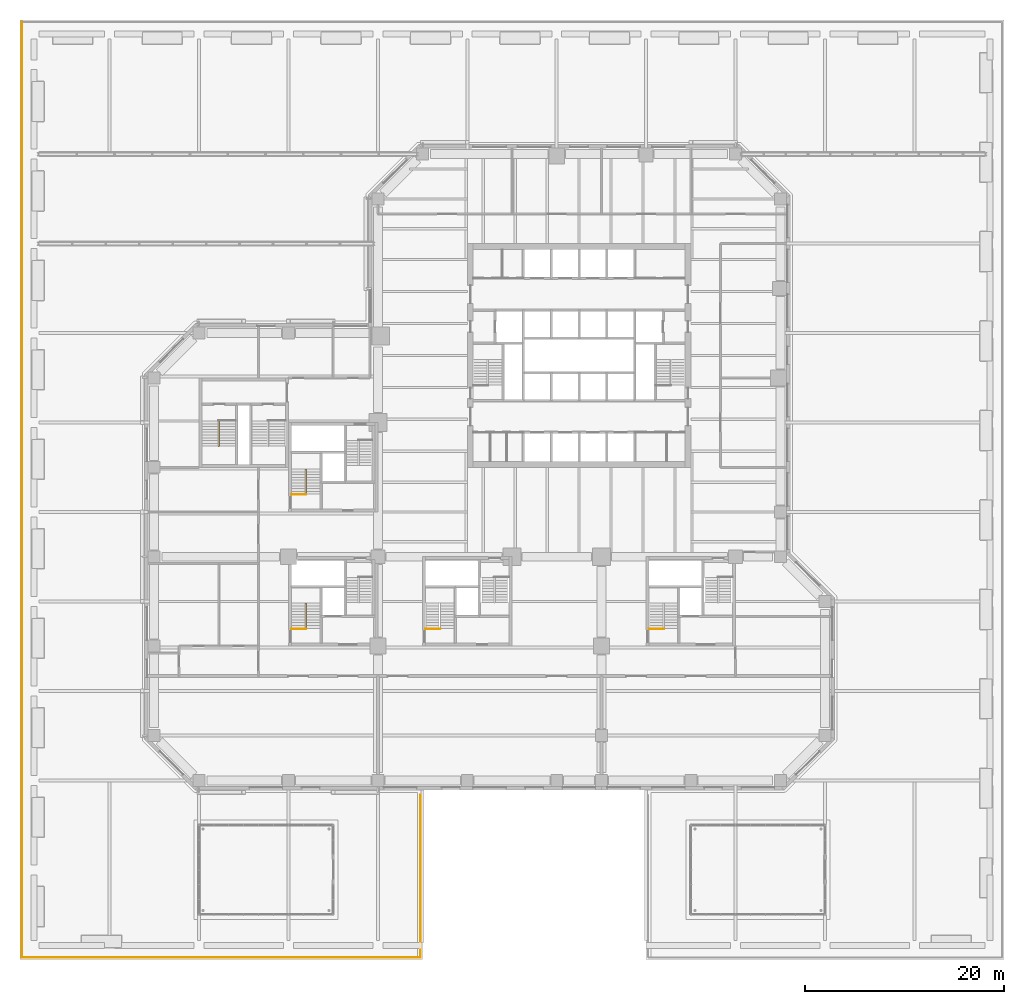
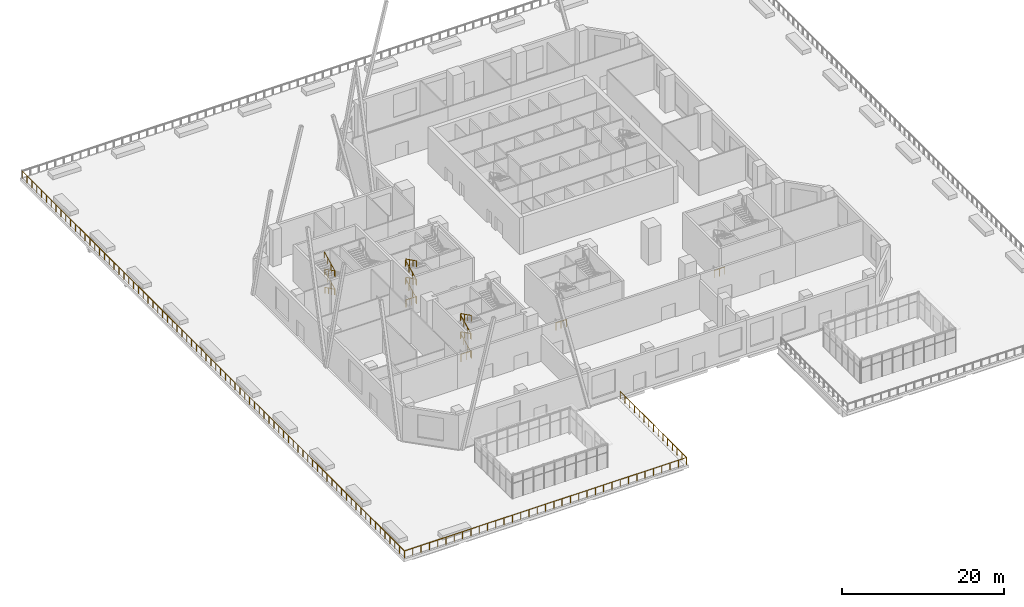
# One storey, part 30 of 33: 8 railings.
"""IFC4 building model written with IfcOpenShell, lengths in metres."""

import ifcopenshell
import ifcopenshell.guid

model = None  # the IFC model being written
_history = None  # IfcOwnerHistory: only IFC2X3 demands one
_inside = {}  # id of a spatial element -> (the spatial element, [elements in it])
_under = {}  # id of a project, library or spatial element -> (it, [spatial elements below it])
_declared = {}  # id of a project -> (the project, [libraries it declares])
_typed = {}  # id of a type object -> (the type object, [elements of that type])
_made_of = {}  # id of a material, layer set ... -> (it, [elements and type objects made of it])


def new_model(schema):
    """Start an empty IFC model of exactly this schema.

    Asked for "IFC4X3", IfcOpenShell would pick the latest addendum, in which some entities
    have other attributes; the version numbers below select the first issue.
    IFC2X3 requires an IfcOwnerHistory on every rooted entity: one is made here for all.
    """
    global model, _history
    if schema == "IFC4X3":
        model = ifcopenshell.file(schema_version=(4, 3, 0, 0))
    else:
        model = ifcopenshell.file(schema=schema)
    _inside.clear()
    _under.clear()
    _declared.clear()
    _typed.clear()
    _made_of.clear()
    _history = None
    if model.schema == "IFC2X3":
        org = make("IfcOrganization", Name="unknown")
        user = make(
            "IfcPersonAndOrganization",
            ThePerson=make("IfcPerson", FamilyName="unknown"),
            TheOrganization=org,
        )
        app = make(
            "IfcApplication",
            ApplicationDeveloper=org,
            Version="unknown",
            ApplicationFullName="unknown",
            ApplicationIdentifier="unknown",
        )
        _history = make(
            "IfcOwnerHistory",
            OwningUser=user,
            OwningApplication=app,
            ChangeAction="ADDED",
            CreationDate=0,
        )
    return model


def make(cls, **values):
    """One entity of the class cls with the attributes given. An attribute that is None is left unset."""
    return model.create_entity(
        cls, **{name: value for name, value in values.items() if value is not None}
    )


def rooted(cls, **values):
    """An entity with a GlobalId (a new one), such as an element, a storey or a relation."""
    return make(cls, GlobalId=ifcopenshell.guid.new(), OwnerHistory=_history, **values)


def si_unit(unit_type, name, prefix=None):
    """IfcSIUnit, for example si_unit("LENGTHUNIT", "METRE", prefix="MILLI")."""
    return make("IfcSIUnit", UnitType=unit_type, Prefix=prefix, Name=name)


def assignment(units):
    """IfcUnitAssignment: the units of a project."""
    return None if units is None else make("IfcUnitAssignment", Units=units)


def point(xyz):
    """IfcCartesianPoint."""
    return None if xyz is None else make("IfcCartesianPoint", Coordinates=xyz)


def direction(xyz):
    """IfcDirection."""
    return None if xyz is None else make("IfcDirection", DirectionRatios=xyz)


def frame(location, z_axis=None, x_axis=None):
    """IfcAxis2Placement3D, a coordinate frame: its origin and axes. An axis left out is left unset."""
    return make(
        "IfcAxis2Placement3D",
        Location=point(location),
        Axis=direction(z_axis),
        RefDirection=direction(x_axis),
    )


def frame_2d(location, x_axis=None):
    """IfcAxis2Placement2D, a coordinate frame in the plane: its origin and x axis."""
    return make(
        "IfcAxis2Placement2D", Location=point(location), RefDirection=direction(x_axis)
    )


def origin():
    """The frame at (0, 0, 0) with its axes left unset."""
    return frame((0.0, 0.0, 0.0))


def origin_2d():
    """The frame at (0, 0) in the plane with its x axis left unset."""
    return frame_2d((0.0, 0.0))


def place(relative_to, where):
    """IfcLocalPlacement: puts the frame where relative to a parent placement (None: the world)."""
    return make(
        "IfcLocalPlacement", PlacementRelTo=relative_to, RelativePlacement=where
    )


def context(
    kind, dimensions, precision=None, world=None, true_north=None, identifier=None
):
    """IfcGeometricRepresentationContext, for example the 3D "Model" context."""
    return make(
        "IfcGeometricRepresentationContext",
        ContextIdentifier=identifier,
        ContextType=kind,
        CoordinateSpaceDimension=dimensions,
        Precision=precision,
        WorldCoordinateSystem=world,
        TrueNorth=true_north,
    )


def subcontext(parent, identifier, kind, view, scale=None):
    """IfcGeometricRepresentationSubContext, for example "Body" below "Model"."""
    return make(
        "IfcGeometricRepresentationSubContext",
        ContextIdentifier=identifier,
        ContextType=kind,
        ParentContext=parent,
        TargetScale=scale,
        TargetView=view,
    )


def project(units=None, contexts=None):
    """IfcProject with its units and contexts."""
    return rooted(
        "IfcProject",
        Name="project",
        RepresentationContexts=contexts,
        UnitsInContext=assignment(units),
    )


def spatial(cls, under=None, at=None, **own):
    """A site, building, storey or space (cls), placed at a placement, below another one or the project."""
    s = rooted(cls, ObjectPlacement=at, **own)
    if under is not None:
        _under.setdefault(under.id(), (under, []))[1].append(s)
    return s


def profile(cls, at=None, kind="AREA", **sizes):
    """A parametric profile (cls). Its sizes go by their IFC names, for example OverallWidth=200.0."""
    return make(cls, ProfileType=kind, Position=at, **sizes)


def circle(**sizes):
    """IfcCircleProfileDef."""
    return profile("IfcCircleProfileDef", **sizes)


def extrude(swept, where, along, depth):
    """IfcExtrudedAreaSolid: the profile swept, set in the frame where, extruded along a direction by depth."""
    return make(
        "IfcExtrudedAreaSolid",
        SweptArea=swept,
        Position=where,
        ExtrudedDirection=direction(along),
        Depth=depth,
    )


def shape(context_of_items, identifier, shape_type, items):
    """IfcShapeRepresentation: the items that make up one representation, for example the "Body"."""
    return make(
        "IfcShapeRepresentation",
        ContextOfItems=context_of_items,
        RepresentationIdentifier=identifier,
        RepresentationType=shape_type,
        Items=items,
    )


def material(Name=None, Category=None):
    """IfcMaterial."""
    return make("IfcMaterial", Name=Name, Category=Category)


def made_of(thing, what):
    """Note that an element or type object is made of a material, layer set ...; save() writes the relation."""
    if what is not None:
        _made_of.setdefault(what.id(), (what, []))[1].append(thing)
    return thing


def type_object(cls, material=None, **own):
    """A type object (cls), such as IfcWallType, which elements share."""
    return made_of(rooted(cls, **own), material)


def element(
    cls,
    number,
    at=None,
    inside=None,
    cuts=None,
    type_object=None,
    material=None,
    context=None,
    identifier="Body",
    shape_type=None,
    held_by="IfcProductDefinitionShape",
    body=None,
    shapes=None,
    **own,
):
    """One element of the class cls, such as IfcWall. Its Tag is "e" and its number.

    at: its placement. inside: the storey or other place that contains it. cuts: it is an
    opening in that element (IfcRelVoidsElement). A single representation is given by context,
    identifier, shape_type and body (its items); several are given by shapes. held_by: the class
    of the entity that holds the representations. save() writes the other relations.
    """
    e = rooted(cls, Tag="e%d" % number, ObjectPlacement=at, **own)
    if body is not None:
        shapes = [shape(context, identifier, shape_type, body)]
    if shapes is not None:
        e.Representation = make(held_by, Representations=shapes)
    if inside is not None:
        _inside.setdefault(inside.id(), (inside, []))[1].append(e)
    if cuts is not None:
        rooted(
            "IfcRelVoidsElement", RelatingBuildingElement=cuts, RelatedOpeningElement=e
        )
    if type_object is not None:
        _typed.setdefault(type_object.id(), (type_object, []))[1].append(e)
    return made_of(e, material)


def aggregate(whole, parts):
    """IfcRelAggregates: a whole, such as a stair, and the parts it consists of."""
    return rooted("IfcRelAggregates", RelatingObject=whole, RelatedObjects=parts)


def save(model, path):
    """Write the relations noted so far, then the file.

    IfcRelAggregates (storeys below a building ...), IfcRelContainedInSpatialStructure (elements
    in a storey), IfcRelDefinesByType, IfcRelAssociatesMaterial and IfcRelDeclares: one each for
    every whole, place, type object, material and project.
    """
    for whole, parts in _under.values():
        aggregate(whole, parts)
    for where, things in _inside.values():
        rooted(
            "IfcRelContainedInSpatialStructure",
            RelatedElements=things,
            RelatingStructure=where,
        )
    for kind, things in _typed.values():
        rooted("IfcRelDefinesByType", RelatedObjects=things, RelatingType=kind)
    for what, things in _made_of.values():
        rooted("IfcRelAssociatesMaterial", RelatedObjects=things, RelatingMaterial=what)
    for by, libraries in _declared.values():
        rooted("IfcRelDeclares", RelatingContext=by, RelatedDefinitions=libraries)
    model.write(path)


model = new_model("IFC4")

# Units and contexts
model_context = context("Model", 3, precision=1e-05, world=origin(), true_north=direction((0.0, 1.0)))
body_context = subcontext(model_context, "Body", "Model", "MODEL_VIEW")
ifc_project = project(units=[si_unit("LENGTHUNIT", "METRE"), si_unit("AREAUNIT", "SQUARE_METRE"), si_unit("VOLUMEUNIT", "CUBIC_METRE"), si_unit("PLANEANGLEUNIT", "RADIAN"), si_unit("MASSUNIT", "GRAM", prefix="KILO")], contexts=[model_context])

# Site, building, storey
site_placement = place(None, origin())
site = spatial("IfcSite", under=ifc_project, at=site_placement, CompositionType="ELEMENT")
building_placement = place(site_placement, origin())
building = spatial("IfcBuilding", under=site, at=building_placement, Name="Quoin Convention Tower", CompositionType="ELEMENT")
storey_placement = place(building_placement, frame((0.0, 0.0, 8.0)))
storey = spatial("IfcBuildingStorey", under=building, at=storey_placement, Name="L01", CompositionType="ELEMENT", Elevation=8.0)

# Railings
ifc_material = material(Name="Stainless steel", Category="steel")
railing_type_1 = type_object("IfcRailingType", Name="Guard 1100", PredefinedType="GUARDRAIL", material=ifc_material)
railing_1_placement = place(storey_placement, frame((40.300048828125, 16.550048828125, 0.0)))
element("IfcRailing", 1, at=railing_1_placement, inside=storey, type_object=railing_type_1, Name="grd-L01-001-40300_16550", PredefinedType="GUARDRAIL", context=body_context, shape_type="SweptSolid", body=[
    extrude(circle(Radius=0.02392578125, at=origin_2d()), frame((0.0, 0.0, 1.076171875), z_axis=(0.0, -1.0, 0.0), x_axis=(1.0, 0.0, 0.0)), (0.0, 0.0, 1.0), 16.35009765625),
    extrude(circle(Radius=0.02392578125, at=origin_2d()), frame((0.0, -16.35009765625, 1.076171875), z_axis=(-1.0, 0.0, 0.0), x_axis=(0.0, -1.0, 0.0)), (0.0, 0.0, 1.0), 40.10009765625),
    extrude(circle(Radius=0.02392578125, at=origin_2d()), frame((-40.10009765625, -16.35009765625, 1.076171875), z_axis=(0.0, 1.0, 0.0), x_axis=(-1.0, 0.0, 0.0)), (0.0, 0.0, 1.0), 94.10009765625),
    extrude(circle(Radius=0.02099609375, at=origin_2d()), origin(), (0.0, 0.0, 1.0), 1.052001953125),
    extrude(circle(Radius=0.02099609375, at=origin_2d()), frame((0.0, -1.16796875, 0.0)), (0.0, 0.0, 1.0), 1.052001953125),
    extrude(circle(Radius=0.02099609375, at=origin_2d()), frame((0.0, -2.335693359375, 0.0)), (0.0, 0.0, 1.0), 1.052001953125),
    extrude(circle(Radius=0.02099609375, at=origin_2d()), frame((0.0, -3.503662109375, 0.0)), (0.0, 0.0, 1.0), 1.052001953125),
    extrude(circle(Radius=0.02099609375, at=origin_2d()), frame((0.0, -4.67138671875, 0.0)), (0.0, 0.0, 1.0), 1.052001953125),
    extrude(circle(Radius=0.02099609375, at=origin_2d()), frame((0.0, -5.83935546875, 0.0)), (0.0, 0.0, 1.0), 1.052001953125),
    extrude(circle(Radius=0.02099609375, at=origin_2d()), frame((0.0, -7.007080078125, 0.0)), (0.0, 0.0, 1.0), 1.052001953125),
    extrude(circle(Radius=0.02099609375, at=origin_2d()), frame((0.0, -8.175048828125, 0.0)), (0.0, 0.0, 1.0), 1.052001953125),
    extrude(circle(Radius=0.02099609375, at=origin_2d()), frame((0.0, -9.343017578125, 0.0)), (0.0, 0.0, 1.0), 1.052001953125),
    extrude(circle(Radius=0.02099609375, at=origin_2d()), frame((0.0, -10.5107421875, 0.0)), (0.0, 0.0, 1.0), 1.052001953125),
    extrude(circle(Radius=0.02099609375, at=origin_2d()), frame((0.0, -11.6787109375, 0.0)), (0.0, 0.0, 1.0), 1.052001953125),
    extrude(circle(Radius=0.02099609375, at=origin_2d()), frame((0.0, -12.846435546875, 0.0)), (0.0, 0.0, 1.0), 1.052001953125),
    extrude(circle(Radius=0.02099609375, at=origin_2d()), frame((0.0, -14.014404296875, 0.0)), (0.0, 0.0, 1.0), 1.052001953125),
    extrude(circle(Radius=0.02099609375, at=origin_2d()), frame((0.0, -15.18212890625, 0.0)), (0.0, 0.0, 1.0), 1.052001953125),
    extrude(circle(Radius=0.02099609375, at=origin_2d()), frame((0.0, -16.35009765625, 0.0)), (0.0, 0.0, 1.0), 1.052001953125),
    extrude(circle(Radius=0.02099609375, at=origin_2d()), frame((-1.179443359375, -16.35009765625, 0.0)), (0.0, 0.0, 1.0), 1.052001953125),
    extrude(circle(Radius=0.02099609375, at=origin_2d()), frame((-2.35888671875, -16.35009765625, 0.0)), (0.0, 0.0, 1.0), 1.052001953125),
    extrude(circle(Radius=0.02099609375, at=origin_2d()), frame((-3.538330078125, -16.35009765625, 0.0)), (0.0, 0.0, 1.0), 1.052001953125),
    extrude(circle(Radius=0.02099609375, at=origin_2d()), frame((-4.7177734375, -16.35009765625, 0.0)), (0.0, 0.0, 1.0), 1.052001953125),
    extrude(circle(Radius=0.02099609375, at=origin_2d()), frame((-5.89697265625, -16.35009765625, 0.0)), (0.0, 0.0, 1.0), 1.052001953125),
    extrude(circle(Radius=0.02099609375, at=origin_2d()), frame((-7.076416015625, -16.35009765625, 0.0)), (0.0, 0.0, 1.0), 1.052001953125),
    extrude(circle(Radius=0.02099609375, at=origin_2d()), frame((-8.255859375, -16.35009765625, 0.0)), (0.0, 0.0, 1.0), 1.052001953125),
    extrude(circle(Radius=0.02099609375, at=origin_2d()), frame((-9.435302734375, -16.35009765625, 0.0)), (0.0, 0.0, 1.0), 1.052001953125),
    extrude(circle(Radius=0.02099609375, at=origin_2d()), frame((-10.61474609375, -16.35009765625, 0.0)), (0.0, 0.0, 1.0), 1.052001953125),
    extrude(circle(Radius=0.02099609375, at=origin_2d()), frame((-11.794189453125, -16.35009765625, 0.0)), (0.0, 0.0, 1.0), 1.052001953125),
    extrude(circle(Radius=0.02099609375, at=origin_2d()), frame((-12.9736328125, -16.35009765625, 0.0)), (0.0, 0.0, 1.0), 1.052001953125),
    extrude(circle(Radius=0.02099609375, at=origin_2d()), frame((-14.153076171875, -16.35009765625, 0.0)), (0.0, 0.0, 1.0), 1.052001953125),
    extrude(circle(Radius=0.02099609375, at=origin_2d()), frame((-15.332275390625, -16.35009765625, 0.0)), (0.0, 0.0, 1.0), 1.052001953125),
    extrude(circle(Radius=0.02099609375, at=origin_2d()), frame((-16.51171875, -16.35009765625, 0.0)), (0.0, 0.0, 1.0), 1.052001953125),
    extrude(circle(Radius=0.02099609375, at=origin_2d()), frame((-17.691162109375, -16.35009765625, 0.0)), (0.0, 0.0, 1.0), 1.052001953125),
    extrude(circle(Radius=0.02099609375, at=origin_2d()), frame((-18.87060546875, -16.35009765625, 0.0)), (0.0, 0.0, 1.0), 1.052001953125),
    extrude(circle(Radius=0.02099609375, at=origin_2d()), frame((-20.050048828125, -16.35009765625, 0.0)), (0.0, 0.0, 1.0), 1.052001953125),
    extrude(circle(Radius=0.02099609375, at=origin_2d()), frame((-21.2294921875, -16.35009765625, 0.0)), (0.0, 0.0, 1.0), 1.052001953125),
    extrude(circle(Radius=0.02099609375, at=origin_2d()), frame((-22.408935546875, -16.35009765625, 0.0)), (0.0, 0.0, 1.0), 1.052001953125),
    extrude(circle(Radius=0.02099609375, at=origin_2d()), frame((-23.58837890625, -16.35009765625, 0.0)), (0.0, 0.0, 1.0), 1.052001953125),
    extrude(circle(Radius=0.02099609375, at=origin_2d()), frame((-24.767822265625, -16.35009765625, 0.0)), (0.0, 0.0, 1.0), 1.052001953125),
    extrude(circle(Radius=0.02099609375, at=origin_2d()), frame((-25.947021484375, -16.35009765625, 0.0)), (0.0, 0.0, 1.0), 1.052001953125),
    extrude(circle(Radius=0.02099609375, at=origin_2d()), frame((-27.12646484375, -16.35009765625, 0.0)), (0.0, 0.0, 1.0), 1.052001953125),
    extrude(circle(Radius=0.02099609375, at=origin_2d()), frame((-28.305908203125, -16.35009765625, 0.0)), (0.0, 0.0, 1.0), 1.052001953125),
    extrude(circle(Radius=0.02099609375, at=origin_2d()), frame((-29.4853515625, -16.35009765625, 0.0)), (0.0, 0.0, 1.0), 1.052001953125),
    extrude(circle(Radius=0.02099609375, at=origin_2d()), frame((-30.664794921875, -16.35009765625, 0.0)), (0.0, 0.0, 1.0), 1.052001953125),
    extrude(circle(Radius=0.02099609375, at=origin_2d()), frame((-31.84423828125, -16.35009765625, 0.0)), (0.0, 0.0, 1.0), 1.052001953125),
    extrude(circle(Radius=0.02099609375, at=origin_2d()), frame((-33.023681640625, -16.35009765625, 0.0)), (0.0, 0.0, 1.0), 1.052001953125),
    extrude(circle(Radius=0.02099609375, at=origin_2d()), frame((-34.203125, -16.35009765625, 0.0)), (0.0, 0.0, 1.0), 1.052001953125),
    extrude(circle(Radius=0.02099609375, at=origin_2d()), frame((-35.38232421875, -16.35009765625, 0.0)), (0.0, 0.0, 1.0), 1.052001953125),
    extrude(circle(Radius=0.02099609375, at=origin_2d()), frame((-36.561767578125, -16.35009765625, 0.0)), (0.0, 0.0, 1.0), 1.052001953125),
    extrude(circle(Radius=0.02099609375, at=origin_2d()), frame((-37.7412109375, -16.35009765625, 0.0)), (0.0, 0.0, 1.0), 1.052001953125),
    extrude(circle(Radius=0.02099609375, at=origin_2d()), frame((-38.920654296875, -16.35009765625, 0.0)), (0.0, 0.0, 1.0), 1.052001953125),
    extrude(circle(Radius=0.02099609375, at=origin_2d()), frame((-40.10009765625, -16.35009765625, 0.0)), (0.0, 0.0, 1.0), 1.052001953125),
    extrude(circle(Radius=0.02099609375, at=origin_2d()), frame((-40.10009765625, -15.158935546875, 0.0)), (0.0, 0.0, 1.0), 1.052001953125),
    extrude(circle(Radius=0.02099609375, at=origin_2d()), frame((-40.10009765625, -13.9677734375, 0.0)), (0.0, 0.0, 1.0), 1.052001953125),
    extrude(circle(Radius=0.02099609375, at=origin_2d()), frame((-40.10009765625, -12.776611328125, 0.0)), (0.0, 0.0, 1.0), 1.052001953125),
    extrude(circle(Radius=0.02099609375, at=origin_2d()), frame((-40.10009765625, -11.58544921875, 0.0)), (0.0, 0.0, 1.0), 1.052001953125),
    extrude(circle(Radius=0.02099609375, at=origin_2d()), frame((-40.10009765625, -10.394287109375, 0.0)), (0.0, 0.0, 1.0), 1.052001953125),
    extrude(circle(Radius=0.02099609375, at=origin_2d()), frame((-40.10009765625, -9.203369140625, 0.0)), (0.0, 0.0, 1.0), 1.052001953125),
    extrude(circle(Radius=0.02099609375, at=origin_2d()), frame((-40.10009765625, -8.01220703125, 0.0)), (0.0, 0.0, 1.0), 1.052001953125),
    extrude(circle(Radius=0.02099609375, at=origin_2d()), frame((-40.10009765625, -6.821044921875, 0.0)), (0.0, 0.0, 1.0), 1.052001953125),
    extrude(circle(Radius=0.02099609375, at=origin_2d()), frame((-40.10009765625, -5.6298828125, 0.0)), (0.0, 0.0, 1.0), 1.052001953125),
    extrude(circle(Radius=0.02099609375, at=origin_2d()), frame((-40.10009765625, -4.438720703125, 0.0)), (0.0, 0.0, 1.0), 1.052001953125),
    extrude(circle(Radius=0.02099609375, at=origin_2d()), frame((-40.10009765625, -3.24755859375, 0.0)), (0.0, 0.0, 1.0), 1.052001953125),
    extrude(circle(Radius=0.02099609375, at=origin_2d()), frame((-40.10009765625, -2.056396484375, 0.0)), (0.0, 0.0, 1.0), 1.052001953125),
    extrude(circle(Radius=0.02099609375, at=origin_2d()), frame((-40.10009765625, -0.865234375, 0.0)), (0.0, 0.0, 1.0), 1.052001953125),
    extrude(circle(Radius=0.02099609375, at=origin_2d()), frame((-40.10009765625, 0.325927734375, 0.0)), (0.0, 0.0, 1.0), 1.052001953125),
    extrude(circle(Radius=0.02099609375, at=origin_2d()), frame((-40.10009765625, 1.51708984375, 0.0)), (0.0, 0.0, 1.0), 1.052001953125),
    extrude(circle(Radius=0.02099609375, at=origin_2d()), frame((-40.10009765625, 2.708251953125, 0.0)), (0.0, 0.0, 1.0), 1.052001953125),
    extrude(circle(Radius=0.02099609375, at=origin_2d()), frame((-40.10009765625, 3.899169921875, 0.0)), (0.0, 0.0, 1.0), 1.052001953125),
    extrude(circle(Radius=0.02099609375, at=origin_2d()), frame((-40.10009765625, 5.09033203125, 0.0)), (0.0, 0.0, 1.0), 1.052001953125),
    extrude(circle(Radius=0.02099609375, at=origin_2d()), frame((-40.10009765625, 6.281494140625, 0.0)), (0.0, 0.0, 1.0), 1.052001953125),
    extrude(circle(Radius=0.02099609375, at=origin_2d()), frame((-40.10009765625, 7.47265625, 0.0)), (0.0, 0.0, 1.0), 1.052001953125),
    extrude(circle(Radius=0.02099609375, at=origin_2d()), frame((-40.10009765625, 8.663818359375, 0.0)), (0.0, 0.0, 1.0), 1.052001953125),
    extrude(circle(Radius=0.02099609375, at=origin_2d()), frame((-40.10009765625, 9.85498046875, 0.0)), (0.0, 0.0, 1.0), 1.052001953125),
    extrude(circle(Radius=0.02099609375, at=origin_2d()), frame((-40.10009765625, 11.046142578125, 0.0)), (0.0, 0.0, 1.0), 1.052001953125),
    extrude(circle(Radius=0.02099609375, at=origin_2d()), frame((-40.10009765625, 12.2373046875, 0.0)), (0.0, 0.0, 1.0), 1.052001953125),
    extrude(circle(Radius=0.02099609375, at=origin_2d()), frame((-40.10009765625, 13.428466796875, 0.0)), (0.0, 0.0, 1.0), 1.052001953125),
    extrude(circle(Radius=0.02099609375, at=origin_2d()), frame((-40.10009765625, 14.61962890625, 0.0)), (0.0, 0.0, 1.0), 1.052001953125),
    extrude(circle(Radius=0.02099609375, at=origin_2d()), frame((-40.10009765625, 15.810791015625, 0.0)), (0.0, 0.0, 1.0), 1.052001953125),
    extrude(circle(Radius=0.02099609375, at=origin_2d()), frame((-40.10009765625, 17.001953125, 0.0)), (0.0, 0.0, 1.0), 1.052001953125),
    extrude(circle(Radius=0.02099609375, at=origin_2d()), frame((-40.10009765625, 18.19287109375, 0.0)), (0.0, 0.0, 1.0), 1.052001953125),
    extrude(circle(Radius=0.02099609375, at=origin_2d()), frame((-40.10009765625, 19.384033203125, 0.0)), (0.0, 0.0, 1.0), 1.052001953125),
    extrude(circle(Radius=0.02099609375, at=origin_2d()), frame((-40.10009765625, 20.5751953125, 0.0)), (0.0, 0.0, 1.0), 1.052001953125),
    extrude(circle(Radius=0.02099609375, at=origin_2d()), frame((-40.10009765625, 21.766357421875, 0.0)), (0.0, 0.0, 1.0), 1.052001953125),
    extrude(circle(Radius=0.02099609375, at=origin_2d()), frame((-40.10009765625, 22.95751953125, 0.0)), (0.0, 0.0, 1.0), 1.052001953125),
    extrude(circle(Radius=0.02099609375, at=origin_2d()), frame((-40.10009765625, 24.148681640625, 0.0)), (0.0, 0.0, 1.0), 1.052001953125),
    extrude(circle(Radius=0.02099609375, at=origin_2d()), frame((-40.10009765625, 25.33984375, 0.0)), (0.0, 0.0, 1.0), 1.052001953125),
    extrude(circle(Radius=0.02099609375, at=origin_2d()), frame((-40.10009765625, 26.531005859375, 0.0)), (0.0, 0.0, 1.0), 1.052001953125),
    extrude(circle(Radius=0.02099609375, at=origin_2d()), frame((-40.10009765625, 27.72216796875, 0.0)), (0.0, 0.0, 1.0), 1.052001953125),
    extrude(circle(Radius=0.02099609375, at=origin_2d()), frame((-40.10009765625, 28.913330078125, 0.0)), (0.0, 0.0, 1.0), 1.052001953125),
    extrude(circle(Radius=0.02099609375, at=origin_2d()), frame((-40.10009765625, 30.1044921875, 0.0)), (0.0, 0.0, 1.0), 1.052001953125),
    extrude(circle(Radius=0.02099609375, at=origin_2d()), frame((-40.10009765625, 31.29541015625, 0.0)), (0.0, 0.0, 1.0), 1.052001953125),
    extrude(circle(Radius=0.02099609375, at=origin_2d()), frame((-40.10009765625, 32.486572265625, 0.0)), (0.0, 0.0, 1.0), 1.052001953125),
    extrude(circle(Radius=0.02099609375, at=origin_2d()), frame((-40.10009765625, 33.677734375, 0.0)), (0.0, 0.0, 1.0), 1.052001953125),
    extrude(circle(Radius=0.02099609375, at=origin_2d()), frame((-40.10009765625, 34.868896484375, 0.0)), (0.0, 0.0, 1.0), 1.052001953125),
    extrude(circle(Radius=0.02099609375, at=origin_2d()), frame((-40.10009765625, 36.06005859375, 0.0)), (0.0, 0.0, 1.0), 1.052001953125),
    extrude(circle(Radius=0.02099609375, at=origin_2d()), frame((-40.10009765625, 37.251220703125, 0.0)), (0.0, 0.0, 1.0), 1.052001953125),
    extrude(circle(Radius=0.02099609375, at=origin_2d()), frame((-40.10009765625, 38.4423828125, 0.0)), (0.0, 0.0, 1.0), 1.052001953125),
    extrude(circle(Radius=0.02099609375, at=origin_2d()), frame((-40.10009765625, 39.633544921875, 0.0)), (0.0, 0.0, 1.0), 1.052001953125),
    extrude(circle(Radius=0.02099609375, at=origin_2d()), frame((-40.10009765625, 40.82470703125, 0.0)), (0.0, 0.0, 1.0), 1.052001953125),
    extrude(circle(Radius=0.02099609375, at=origin_2d()), frame((-40.10009765625, 42.015869140625, 0.0)), (0.0, 0.0, 1.0), 1.052001953125),
    extrude(circle(Radius=0.02099609375, at=origin_2d()), frame((-40.10009765625, 43.20703125, 0.0)), (0.0, 0.0, 1.0), 1.052001953125),
    extrude(circle(Radius=0.02099609375, at=origin_2d()), frame((-40.10009765625, 44.39794921875, 0.0)), (0.0, 0.0, 1.0), 1.052001953125),
    extrude(circle(Radius=0.02099609375, at=origin_2d()), frame((-40.10009765625, 45.589111328125, 0.0)), (0.0, 0.0, 1.0), 1.052001953125),
    extrude(circle(Radius=0.02099609375, at=origin_2d()), frame((-40.10009765625, 46.7802734375, 0.0)), (0.0, 0.0, 1.0), 1.052001953125),
    extrude(circle(Radius=0.02099609375, at=origin_2d()), frame((-40.10009765625, 47.971435546875, 0.0)), (0.0, 0.0, 1.0), 1.052001953125),
    extrude(circle(Radius=0.02099609375, at=origin_2d()), frame((-40.10009765625, 49.16259765625, 0.0)), (0.0, 0.0, 1.0), 1.052001953125),
    extrude(circle(Radius=0.02099609375, at=origin_2d()), frame((-40.10009765625, 50.353759765625, 0.0)), (0.0, 0.0, 1.0), 1.052001953125),
    extrude(circle(Radius=0.02099609375, at=origin_2d()), frame((-40.10009765625, 51.544921875, 0.0)), (0.0, 0.0, 1.0), 1.052001953125),
    extrude(circle(Radius=0.02099609375, at=origin_2d()), frame((-40.10009765625, 52.736083984375, 0.0)), (0.0, 0.0, 1.0), 1.052001953125),
    extrude(circle(Radius=0.02099609375, at=origin_2d()), frame((-40.10009765625, 53.92724609375, 0.0)), (0.0, 0.0, 1.0), 1.052001953125),
    extrude(circle(Radius=0.02099609375, at=origin_2d()), frame((-40.10009765625, 55.118408203125, 0.0)), (0.0, 0.0, 1.0), 1.052001953125),
    extrude(circle(Radius=0.02099609375, at=origin_2d()), frame((-40.10009765625, 56.3095703125, 0.0)), (0.0, 0.0, 1.0), 1.052001953125),
    extrude(circle(Radius=0.02099609375, at=origin_2d()), frame((-40.10009765625, 57.500732421875, 0.0)), (0.0, 0.0, 1.0), 1.052001953125),
    extrude(circle(Radius=0.02099609375, at=origin_2d()), frame((-40.10009765625, 58.691650390625, 0.0)), (0.0, 0.0, 1.0), 1.052001953125),
    extrude(circle(Radius=0.02099609375, at=origin_2d()), frame((-40.10009765625, 59.8828125, 0.0)), (0.0, 0.0, 1.0), 1.052001953125),
    extrude(circle(Radius=0.02099609375, at=origin_2d()), frame((-40.10009765625, 61.073974609375, 0.0)), (0.0, 0.0, 1.0), 1.052001953125),
    extrude(circle(Radius=0.02099609375, at=origin_2d()), frame((-40.10009765625, 62.26513671875, 0.0)), (0.0, 0.0, 1.0), 1.052001953125),
    extrude(circle(Radius=0.02099609375, at=origin_2d()), frame((-40.10009765625, 63.456298828125, 0.0)), (0.0, 0.0, 1.0), 1.052001953125),
    extrude(circle(Radius=0.02099609375, at=origin_2d()), frame((-40.10009765625, 64.6474609375, 0.0)), (0.0, 0.0, 1.0), 1.052001953125),
    extrude(circle(Radius=0.02099609375, at=origin_2d()), frame((-40.10009765625, 65.838623046875, 0.0)), (0.0, 0.0, 1.0), 1.052001953125),
    extrude(circle(Radius=0.02099609375, at=origin_2d()), frame((-40.10009765625, 67.02978515625, 0.0)), (0.0, 0.0, 1.0), 1.052001953125),
    extrude(circle(Radius=0.02099609375, at=origin_2d()), frame((-40.10009765625, 68.220947265625, 0.0)), (0.0, 0.0, 1.0), 1.052001953125),
    extrude(circle(Radius=0.02099609375, at=origin_2d()), frame((-40.10009765625, 69.412109375, 0.0)), (0.0, 0.0, 1.0), 1.052001953125),
    extrude(circle(Radius=0.02099609375, at=origin_2d()), frame((-40.10009765625, 70.603271484375, 0.0)), (0.0, 0.0, 1.0), 1.052001953125),
    extrude(circle(Radius=0.02099609375, at=origin_2d()), frame((-40.10009765625, 71.794189453125, 0.0)), (0.0, 0.0, 1.0), 1.052001953125),
    extrude(circle(Radius=0.02099609375, at=origin_2d()), frame((-40.10009765625, 72.9853515625, 0.0)), (0.0, 0.0, 1.0), 1.052001953125),
    extrude(circle(Radius=0.02099609375, at=origin_2d()), frame((-40.10009765625, 74.176513671875, 0.0)), (0.0, 0.0, 1.0), 1.052001953125),
    extrude(circle(Radius=0.02099609375, at=origin_2d()), frame((-40.10009765625, 75.36767578125, 0.0)), (0.0, 0.0, 1.0), 1.052001953125),
    extrude(circle(Radius=0.02099609375, at=origin_2d()), frame((-40.10009765625, 76.558837890625, 0.0)), (0.0, 0.0, 1.0), 1.052001953125),
    extrude(circle(Radius=0.02099609375, at=origin_2d()), frame((-40.10009765625, 77.75, 0.0)), (0.0, 0.0, 1.0), 1.052001953125),
])
railing_type_2 = type_object("IfcRailingType", Name="Stair handrail 900", PredefinedType="HANDRAIL", material=ifc_material)
railing_2_placement = place(storey_placement, frame((28.705078125, 46.800048828125, 0.137451171875)))
element("IfcRailing", 2, at=railing_2_placement, inside=storey, type_object=railing_type_2, Name="SD3 handrail 1", PredefinedType="HANDRAIL", context=body_context, shape_type="SweptSolid", body=[
    extrude(circle(Radius=0.02392578125, at=origin_2d()), frame((0.0, 0.0, 0.8759765625), z_axis=(0.0, 0.897604431175, 0.440801866075), x_axis=(-1.0, 0.0, 0.0)), (0.0, 0.0, 1.0), 2.807373046875),
    extrude(circle(Radius=0.02392578125, at=origin_2d()), frame((0.0, 2.52001953125, 2.11328125), z_axis=(0.547129183664, 0.0, 0.837048180443), x_axis=(0.0, 1.0, 0.0)), (0.0, 0.0, 1.0), 0.164306640625),
    extrude(circle(Radius=0.02392578125, at=origin_2d()), frame((0.08984375, 2.52001953125, 2.2509765625), z_axis=(0.0, -0.897604431175, 0.440801866075), x_axis=(1.0, 0.0, 0.0)), (0.0, 0.0, 1.0), 2.807373046875),
    extrude(circle(Radius=0.02392578125, at=origin_2d()), frame((0.08984375, 0.0, 3.48828125), z_axis=(-0.547129183664, 0.0, 0.837048180443), x_axis=(0.0, -1.0, 0.0)), (0.0, 0.0, 1.0), 0.164306640625),
    extrude(circle(Radius=0.02392578125, at=origin_2d()), frame((0.0, 0.0, 3.6259765625), z_axis=(0.0, 0.897604431175, 0.440801866075), x_axis=(-1.0, 0.0, 0.0)), (0.0, 0.0, 1.0), 2.807373046875),
    extrude(circle(Radius=0.02392578125, at=origin_2d()), frame((0.0, 2.52001953125, 4.86328125), z_axis=(0.547129183664, 0.0, 0.837048180443), x_axis=(0.0, 1.0, 0.0)), (0.0, 0.0, 1.0), 0.164306640625),
    extrude(circle(Radius=0.02392578125, at=origin_2d()), frame((0.08984375, 2.52001953125, 5.0009765625), z_axis=(0.0, -0.897604431175, 0.440801866075), x_axis=(1.0, 0.0, 0.0)), (0.0, 0.0, 1.0), 2.807373046875),
    extrude(circle(Radius=0.02099609375, at=origin_2d()), origin(), (0.0, 0.0, 1.0), 0.851806640625),
    extrude(circle(Radius=0.02099609375, at=origin_2d()), frame((0.0, 0.840087890625, 0.41259765625)), (0.0, 0.0, 1.0), 0.851806640625),
    extrude(circle(Radius=0.02099609375, at=origin_2d()), frame((0.0, 1.679931640625, 0.824951171875)), (0.0, 0.0, 1.0), 0.851806640625),
    extrude(circle(Radius=0.02099609375, at=origin_2d()), frame((0.0, 2.52001953125, 1.237548828125)), (0.0, 0.0, 1.0), 0.851806640625),
    extrude(circle(Radius=0.02099609375, at=origin_2d()), frame((0.08984375, 2.52001953125, 1.375)), (0.0, 0.0, 1.0), 0.851806640625),
    extrude(circle(Radius=0.02099609375, at=origin_2d()), frame((0.08984375, 1.679931640625, 1.78759765625)), (0.0, 0.0, 1.0), 0.851806640625),
    extrude(circle(Radius=0.02099609375, at=origin_2d()), frame((0.08984375, 0.840087890625, 2.199951171875)), (0.0, 0.0, 1.0), 0.851806640625),
    extrude(circle(Radius=0.02099609375, at=origin_2d()), frame((0.08984375, 0.0, 2.612548828125)), (0.0, 0.0, 1.0), 0.851806640625),
    extrude(circle(Radius=0.02099609375, at=origin_2d()), frame((0.0, 0.0, 2.75)), (0.0, 0.0, 1.0), 0.851806640625),
    extrude(circle(Radius=0.02099609375, at=origin_2d()), frame((0.0, 0.840087890625, 3.16259765625)), (0.0, 0.0, 1.0), 0.851806640625),
    extrude(circle(Radius=0.02099609375, at=origin_2d()), frame((0.0, 1.679931640625, 3.574951171875)), (0.0, 0.0, 1.0), 0.851806640625),
    extrude(circle(Radius=0.02099609375, at=origin_2d()), frame((0.0, 2.52001953125, 3.987548828125)), (0.0, 0.0, 1.0), 0.851806640625),
    extrude(circle(Radius=0.02099609375, at=origin_2d()), frame((0.08984375, 2.52001953125, 4.125)), (0.0, 0.0, 1.0), 0.851806640625),
    extrude(circle(Radius=0.02099609375, at=origin_2d()), frame((0.08984375, 1.679931640625, 4.53759765625)), (0.0, 0.0, 1.0), 0.851806640625),
    extrude(circle(Radius=0.02099609375, at=origin_2d()), frame((0.08984375, 0.840087890625, 4.949951171875)), (0.0, 0.0, 1.0), 0.851806640625),
    extrude(circle(Radius=0.02099609375, at=origin_2d()), frame((0.08984375, 0.0, 5.362548828125)), (0.0, 0.0, 1.0), 0.851806640625),
])
railing_3_placement = place(storey_placement, frame((28.705078125, 33.300048828125, 0.137451171875)))
element("IfcRailing", 3, at=railing_3_placement, inside=storey, type_object=railing_type_2, Name="SD7 handrail 1", PredefinedType="HANDRAIL", context=body_context, shape_type="SweptSolid", body=[
    extrude(circle(Radius=0.02392578125, at=origin_2d()), frame((0.0, 0.0, 0.8759765625), z_axis=(0.0, 0.897604431175, 0.440801866075), x_axis=(-1.0, 0.0, 0.0)), (0.0, 0.0, 1.0), 2.807373046875),
    extrude(circle(Radius=0.02392578125, at=origin_2d()), frame((0.0, 2.52001953125, 2.11328125), z_axis=(0.547129183664, 0.0, 0.837048180443), x_axis=(0.0, 1.0, 0.0)), (0.0, 0.0, 1.0), 0.164306640625),
    extrude(circle(Radius=0.02392578125, at=origin_2d()), frame((0.08984375, 2.52001953125, 2.2509765625), z_axis=(0.0, -0.897604431175, 0.440801866075), x_axis=(1.0, 0.0, 0.0)), (0.0, 0.0, 1.0), 2.807373046875),
    extrude(circle(Radius=0.02392578125, at=origin_2d()), frame((0.08984375, 0.0, 3.48828125), z_axis=(-0.547129183664, 0.0, 0.837048180443), x_axis=(0.0, -1.0, 0.0)), (0.0, 0.0, 1.0), 0.164306640625),
    extrude(circle(Radius=0.02392578125, at=origin_2d()), frame((0.0, 0.0, 3.6259765625), z_axis=(0.0, 0.897604431175, 0.440801866075), x_axis=(-1.0, 0.0, 0.0)), (0.0, 0.0, 1.0), 2.807373046875),
    extrude(circle(Radius=0.02392578125, at=origin_2d()), frame((0.0, 2.52001953125, 4.86328125), z_axis=(0.547129183664, 0.0, 0.837048180443), x_axis=(0.0, 1.0, 0.0)), (0.0, 0.0, 1.0), 0.164306640625),
    extrude(circle(Radius=0.02392578125, at=origin_2d()), frame((0.08984375, 2.52001953125, 5.0009765625), z_axis=(0.0, -0.897604431175, 0.440801866075), x_axis=(1.0, 0.0, 0.0)), (0.0, 0.0, 1.0), 2.807373046875),
    extrude(circle(Radius=0.02099609375, at=origin_2d()), origin(), (0.0, 0.0, 1.0), 0.851806640625),
    extrude(circle(Radius=0.02099609375, at=origin_2d()), frame((0.0, 0.840087890625, 0.41259765625)), (0.0, 0.0, 1.0), 0.851806640625),
    extrude(circle(Radius=0.02099609375, at=origin_2d()), frame((0.0, 1.679931640625, 0.824951171875)), (0.0, 0.0, 1.0), 0.851806640625),
    extrude(circle(Radius=0.02099609375, at=origin_2d()), frame((0.0, 2.52001953125, 1.237548828125)), (0.0, 0.0, 1.0), 0.851806640625),
    extrude(circle(Radius=0.02099609375, at=origin_2d()), frame((0.08984375, 2.52001953125, 1.375)), (0.0, 0.0, 1.0), 0.851806640625),
    extrude(circle(Radius=0.02099609375, at=origin_2d()), frame((0.08984375, 1.679931640625, 1.78759765625)), (0.0, 0.0, 1.0), 0.851806640625),
    extrude(circle(Radius=0.02099609375, at=origin_2d()), frame((0.08984375, 0.840087890625, 2.199951171875)), (0.0, 0.0, 1.0), 0.851806640625),
    extrude(circle(Radius=0.02099609375, at=origin_2d()), frame((0.08984375, 0.0, 2.612548828125)), (0.0, 0.0, 1.0), 0.851806640625),
    extrude(circle(Radius=0.02099609375, at=origin_2d()), frame((0.0, 0.0, 2.75)), (0.0, 0.0, 1.0), 0.851806640625),
    extrude(circle(Radius=0.02099609375, at=origin_2d()), frame((0.0, 0.840087890625, 3.16259765625)), (0.0, 0.0, 1.0), 0.851806640625),
    extrude(circle(Radius=0.02099609375, at=origin_2d()), frame((0.0, 1.679931640625, 3.574951171875)), (0.0, 0.0, 1.0), 0.851806640625),
    extrude(circle(Radius=0.02099609375, at=origin_2d()), frame((0.0, 2.52001953125, 3.987548828125)), (0.0, 0.0, 1.0), 0.851806640625),
    extrude(circle(Radius=0.02099609375, at=origin_2d()), frame((0.08984375, 2.52001953125, 4.125)), (0.0, 0.0, 1.0), 0.851806640625),
    extrude(circle(Radius=0.02099609375, at=origin_2d()), frame((0.08984375, 1.679931640625, 4.53759765625)), (0.0, 0.0, 1.0), 0.851806640625),
    extrude(circle(Radius=0.02099609375, at=origin_2d()), frame((0.08984375, 0.840087890625, 4.949951171875)), (0.0, 0.0, 1.0), 0.851806640625),
    extrude(circle(Radius=0.02099609375, at=origin_2d()), frame((0.08984375, 0.0, 5.362548828125)), (0.0, 0.0, 1.0), 0.851806640625),
])
railing_4_placement = place(storey_placement, frame((20.044921875, 54.14990234375, 0.137451171875)))
element("IfcRailing", 4, at=railing_4_placement, inside=storey, type_object=railing_type_2, Name="SD11 handrail 1", PredefinedType="HANDRAIL", context=body_context, shape_type="SweptSolid", body=[
    extrude(circle(Radius=0.02392578125, at=origin_2d()), frame((0.0, 0.0, 0.8759765625), z_axis=(0.0, -0.897604431175, 0.440801866075), x_axis=(1.0, 0.0, 0.0)), (0.0, 0.0, 1.0), 2.807373046875),
    extrude(circle(Radius=0.02392578125, at=origin_2d()), frame((0.0, -2.52001953125, 2.11328125), z_axis=(-0.547129183664, 0.0, 0.837048180443), x_axis=(0.0, -1.0, 0.0)), (0.0, 0.0, 1.0), 0.164306640625),
    extrude(circle(Radius=0.02392578125, at=origin_2d()), frame((-0.08984375, -2.52001953125, 2.2509765625), z_axis=(0.0, 0.897604431175, 0.440801866075), x_axis=(-1.0, 0.0, 0.0)), (0.0, 0.0, 1.0), 2.807373046875),
    extrude(circle(Radius=0.02392578125, at=origin_2d()), frame((-0.08984375, 0.0, 3.48828125), z_axis=(0.547129183664, 0.0, 0.837048180443), x_axis=(0.0, 1.0, 0.0)), (0.0, 0.0, 1.0), 0.164306640625),
    extrude(circle(Radius=0.02392578125, at=origin_2d()), frame((0.0, 0.0, 3.6259765625), z_axis=(0.0, -0.897604431175, 0.440801866075), x_axis=(1.0, 0.0, 0.0)), (0.0, 0.0, 1.0), 2.807373046875),
    extrude(circle(Radius=0.02392578125, at=origin_2d()), frame((0.0, -2.52001953125, 4.86328125), z_axis=(-0.547129183664, 0.0, 0.837048180443), x_axis=(0.0, -1.0, 0.0)), (0.0, 0.0, 1.0), 0.164306640625),
    extrude(circle(Radius=0.02392578125, at=origin_2d()), frame((-0.08984375, -2.52001953125, 5.0009765625), z_axis=(0.0, 0.897604431175, 0.440801866075), x_axis=(-1.0, 0.0, 0.0)), (0.0, 0.0, 1.0), 2.807373046875),
    extrude(circle(Radius=0.02099609375, at=origin_2d()), origin(), (0.0, 0.0, 1.0), 0.851806640625),
    extrude(circle(Radius=0.02099609375, at=origin_2d()), frame((0.0, -0.840087890625, 0.41259765625)), (0.0, 0.0, 1.0), 0.851806640625),
    extrude(circle(Radius=0.02099609375, at=origin_2d()), frame((0.0, -1.679931640625, 0.824951171875)), (0.0, 0.0, 1.0), 0.851806640625),
    extrude(circle(Radius=0.02099609375, at=origin_2d()), frame((0.0, -2.52001953125, 1.237548828125)), (0.0, 0.0, 1.0), 0.851806640625),
    extrude(circle(Radius=0.02099609375, at=origin_2d()), frame((-0.08984375, -2.52001953125, 1.375)), (0.0, 0.0, 1.0), 0.851806640625),
    extrude(circle(Radius=0.02099609375, at=origin_2d()), frame((-0.08984375, -1.679931640625, 1.78759765625)), (0.0, 0.0, 1.0), 0.851806640625),
    extrude(circle(Radius=0.02099609375, at=origin_2d()), frame((-0.08984375, -0.840087890625, 2.199951171875)), (0.0, 0.0, 1.0), 0.851806640625),
    extrude(circle(Radius=0.02099609375, at=origin_2d()), frame((-0.08984375, 0.0, 2.612548828125)), (0.0, 0.0, 1.0), 0.851806640625),
    extrude(circle(Radius=0.02099609375, at=origin_2d()), frame((0.0, 0.0, 2.75)), (0.0, 0.0, 1.0), 0.851806640625),
    extrude(circle(Radius=0.02099609375, at=origin_2d()), frame((0.0, -0.840087890625, 3.16259765625)), (0.0, 0.0, 1.0), 0.851806640625),
    extrude(circle(Radius=0.02099609375, at=origin_2d()), frame((0.0, -1.679931640625, 3.574951171875)), (0.0, 0.0, 1.0), 0.851806640625),
    extrude(circle(Radius=0.02099609375, at=origin_2d()), frame((0.0, -2.52001953125, 3.987548828125)), (0.0, 0.0, 1.0), 0.851806640625),
    extrude(circle(Radius=0.02099609375, at=origin_2d()), frame((-0.08984375, -2.52001953125, 4.125)), (0.0, 0.0, 1.0), 0.851806640625),
    extrude(circle(Radius=0.02099609375, at=origin_2d()), frame((-0.08984375, -1.679931640625, 4.53759765625)), (0.0, 0.0, 1.0), 0.851806640625),
    extrude(circle(Radius=0.02099609375, at=origin_2d()), frame((-0.08984375, -0.840087890625, 4.949951171875)), (0.0, 0.0, 1.0), 0.851806640625),
    extrude(circle(Radius=0.02099609375, at=origin_2d()), frame((-0.08984375, 0.0, 5.362548828125)), (0.0, 0.0, 1.0), 0.851806640625),
])
railing_type_3 = type_object("IfcRailingType", Name="Stair top guard 1100", PredefinedType="GUARDRAIL", material=ifc_material)
for number, where, name in (
    (5, (27.300048828125, 46.75, 0.0), "SD3 top guard"),
    (6, (40.800048828125, 33.25, 0.0), "SD5 top guard"),
    (7, (27.300048828125, 33.25, 0.0), "SD7 top guard"),
    (8, (63.300048828125, 33.25, 0.0), "SD9 top guard"),
):
    element("IfcRailing", number, at=place(storey_placement, frame(where)), inside=storey, type_object=railing_type_3, Name=name, PredefinedType="GUARDRAIL", context=body_context, shape_type="SweptSolid", body=[
        extrude(circle(Radius=0.02392578125, at=origin_2d()), frame((0.0, 0.0, 1.076171875), z_axis=(1.0, 0.0, 0.0), x_axis=(0.0, 1.0, 0.0)), (0.0, 0.0, 1.0), 1.494873046875),
        extrude(circle(Radius=0.02099609375, at=origin_2d()), origin(), (0.0, 0.0, 1.0), 1.052001953125),
        extrude(circle(Radius=0.02099609375, at=origin_2d()), frame((0.74755859375, 0.0, 0.0)), (0.0, 0.0, 1.0), 1.052001953125),
        extrude(circle(Radius=0.02099609375, at=origin_2d()), frame((1.494873046875, 0.0, 0.0)), (0.0, 0.0, 1.0), 1.052001953125),
    ])

save(model, "model.ifc")
